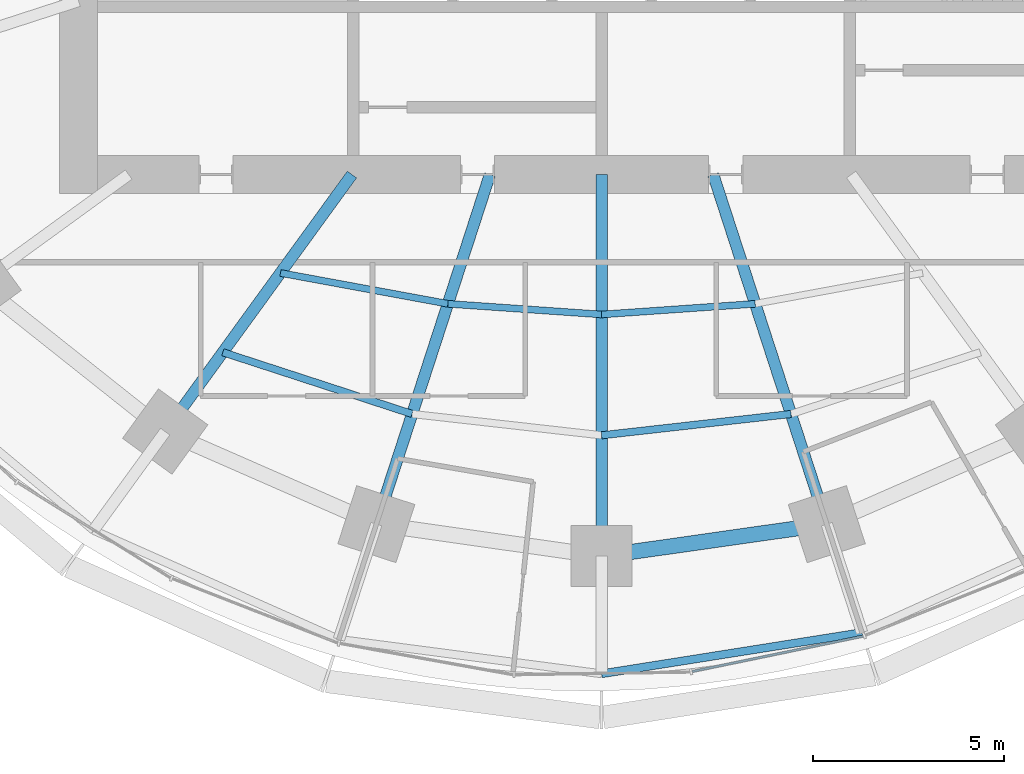
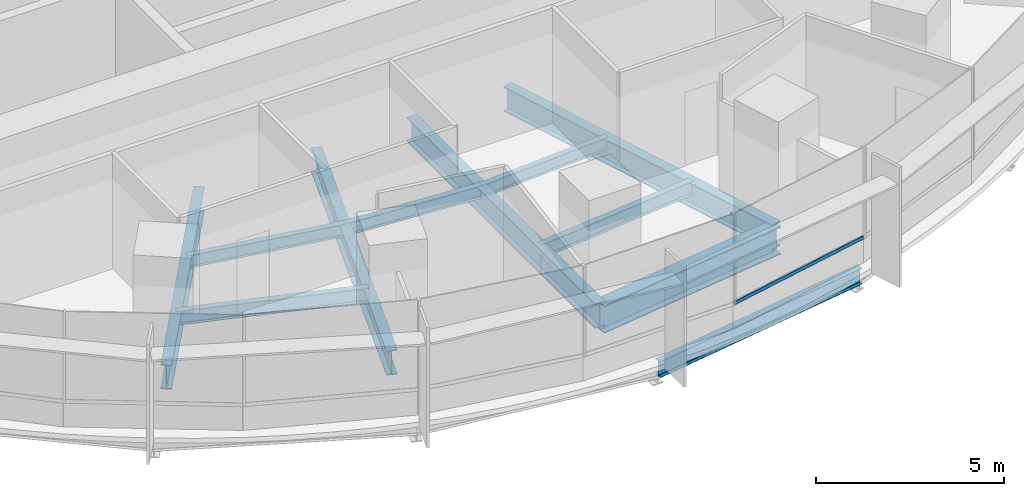
# One storey, part 3 of 14: 11 beams, 1 member, 1 element without a shape of its own.
"""IFC4 building model written with IfcOpenShell, lengths in metres."""

from ifc_helpers import new_model, si_unit, direction, frame, origin, origin_2d, place, context, subcontext, project, spatial, rectangle, i_section, extrude, material, material_profile, profile_set, type_object, element, aggregate, save


model = new_model("IFC4")

# Units and contexts
model_context = context("Model", 3, precision=1e-05, world=origin(), true_north=direction((0.0, 1.0)))
body_context = subcontext(model_context, "Body", "Model", "MODEL_VIEW")
ifc_project = project(units=[si_unit("LENGTHUNIT", "METRE"), si_unit("AREAUNIT", "SQUARE_METRE"), si_unit("VOLUMEUNIT", "CUBIC_METRE"), si_unit("PLANEANGLEUNIT", "RADIAN"), si_unit("MASSUNIT", "GRAM", prefix="KILO")], contexts=[model_context])

# Site, building, storey
site_placement = place(None, origin())
site = spatial("IfcSite", under=ifc_project, at=site_placement, CompositionType="ELEMENT")
building_placement = place(site_placement, origin())
building = spatial("IfcBuilding", under=site, at=building_placement, Name="Marramba Exchange Tower", CompositionType="ELEMENT")
storey_placement = place(building_placement, frame((0.0, 0.0, 108.0)))
storey = spatial("IfcBuildingStorey", under=building, at=storey_placement, Name="L25", CompositionType="ELEMENT", Elevation=108.0)

# Beams
ifc_material_1 = material(Name="Steel AS/NZS 3679.1 grade 300", Category="steel")
ifc_material_profile_1 = material_profile(ifc_material_1, i_section(OverallWidth=0.177978515625, OverallDepth=0.406005859375, WebThickness=0.0078125, FlangeThickness=0.0126953125, FilletRadius=0.011474609375, at=origin_2d()), Name="410UB59.7")
ifc_profile_set_1 = profile_set([ifc_material_profile_1], Name="Steel AS/NZS 3679.1 grade 300")
beam_type_1 = type_object("IfcBeamType", Name="Floor joist 410UB59.7", PredefinedType="JOIST", material=ifc_profile_set_1)
beam_1_placement = place(storey_placement, frame((-8.41162109375, -11.57763671875, -0.363037109375), z_axis=(0.983455754421, -0.181148500119, 0.0), x_axis=(0.181148500119, 0.983455754421, 0.0)))
element("IfcBeam", 1, at=beam_1_placement, inside=storey, type_object=beam_type_1, Name="Joist L25 bay 14 row 1", PredefinedType="JOIST", context=body_context, shape_type="SweptSolid", body=[
    extrude(i_section(OverallWidth=0.177978515625, OverallDepth=0.406005859375, WebThickness=0.0078125, FlangeThickness=0.0126953125, FilletRadius=0.011474609375, at=origin_2d()), origin(), (0.0, 0.0, 1.0), 4.4609375),
])
for number, where, z_axis, x_axis, name in (
    (2, (-4.0244140625, -12.3857421875, -0.363037109375), (0.99759625901, -0.069294328838, 0.0), (0.069294328838, 0.99759625901, 0.0), "Joist L25 bay 15 row 1"),
    (3, (0.0, -12.665283203125, -0.363037109375), (0.99759625901, 0.069294328838, 0.0), (-0.069294328838, 0.99759625901, 0.0), "Joist L25 bay 16 row 1"),
):
    element("IfcBeam", number, at=place(storey_placement, frame(where, z_axis=z_axis, x_axis=x_axis)), inside=storey, type_object=beam_type_1, Name=name, PredefinedType="JOIST", context=body_context, shape_type="SweptSolid", body=[
        extrude(i_section(OverallWidth=0.177978515625, OverallDepth=0.406005859375, WebThickness=0.0078125, FlangeThickness=0.0126953125, FilletRadius=0.011474609375, at=origin_2d()), origin(), (0.0, 0.0, 1.0), 4.0341796875),
    ])
ifc_material_profile_2 = material_profile(ifc_material_1, i_section(OverallWidth=0.18994140625, OverallDepth=0.4541015625, WebThickness=0.008544921875, FlangeThickness=0.0126953125, FilletRadius=0.011474609375, at=origin_2d()), Name="460UB67.1")
ifc_profile_set_2 = profile_set([ifc_material_profile_2], Name="Steel AS/NZS 3679.1 grade 300")
beam_type_2 = type_object("IfcBeamType", Name="Floor joist 460UB67.1", PredefinedType="JOIST", material=ifc_profile_set_2)
beam_2_placement = place(storey_placement, frame((-9.9208984375, -13.655029296875, -0.386962890625), z_axis=(0.950764024931, -0.309915744834, 0.0), x_axis=(0.309915744834, 0.950764024931, 0.0)))
element("IfcBeam", 4, at=beam_2_placement, inside=storey, type_object=beam_type_2, Name="Joist L25 bay 14 row 2", PredefinedType="JOIST", context=body_context, shape_type="SweptSolid", body=[
    extrude(i_section(OverallWidth=0.18994140625, OverallDepth=0.4541015625, WebThickness=0.008544921875, FlangeThickness=0.0126953125, FilletRadius=0.011474609375, at=origin_2d()), origin(), (0.0, 0.0, 1.0), 5.2158203125),
])
beam_3_placement = place(storey_placement, frame((0.0, -15.83056640625, -0.386962890625), z_axis=(0.993712018573, 0.111966174106, 0.0), x_axis=(-0.111966174106, 0.993712018573, 0.0)))
element("IfcBeam", 5, at=beam_3_placement, inside=storey, type_object=beam_type_2, Name="Joist L25 bay 16 row 2", PredefinedType="JOIST", context=body_context, shape_type="SweptSolid", body=[
    extrude(i_section(OverallWidth=0.18994140625, OverallDepth=0.4541015625, WebThickness=0.008544921875, FlangeThickness=0.0126953125, FilletRadius=0.011474609375, at=origin_2d()), origin(), (0.0, 0.0, 1.0), 4.993408203125),
])

# Curtain wall, member
ifc_material_2 = material(Name="Aluminium framing, bronze anodised", Category="aluminium")
curtain_wall_type = type_object("IfcCurtainWallType", Name="Office ribbon curtain wall", PredefinedType="USERDEFINED", material=ifc_material_2)
curtain_wall_placement = place(storey_placement, origin())
curtain_wall = element("IfcCurtainWall", 6, at=curtain_wall_placement, inside=storey, type_object=curtain_wall_type, Name="Curtain wall CW4 L25 F21-F25", ObjectType="RIBBON CURTAIN WALL", PredefinedType="USERDEFINED")
ifc_material_3 = material(Name="Aluminium transom, bronze anodised", Category="aluminium")
ifc_material_profile_3 = material_profile(ifc_material_3, rectangle(XDim=0.06005859375, YDim=0.1201171875, at=origin_2d()), Name="CW4 transom 60x120")
ifc_profile_set_3 = profile_set([ifc_material_profile_3], Name="Aluminium transom, bronze anodised")
member_type = type_object("IfcMemberType", Name="Office ribbon curtain wall transom", PredefinedType="USERDEFINED", material=ifc_profile_set_3)
member_placement = place(storey_placement, frame((2.374267578125, -22.017822265625, 0.830078125), z_axis=(0.979310422034, 0.202363774661, 0.0), x_axis=(-0.202363774661, 0.979310422034, 0.0)))
member = element("IfcMember", 7, at=member_placement, type_object=member_type, Name="CW4 sill transom", ObjectType="TRANSOM", PredefinedType="USERDEFINED", context=body_context, shape_type="SweptSolid", body=[
    extrude(rectangle(XDim=0.06005859375, YDim=0.1201171875, at=origin_2d()), origin(), (0.0, 0.0, 1.0), 4.57373046875),
])
aggregate(curtain_wall, [member])

# Beams
ifc_material_4 = material(Name="Steel AS/NZS 3679.2 grade 300", Category="steel")
ifc_material_profile_4 = material_profile(ifc_material_4, i_section(OverallWidth=0.300048828125, OverallDepth=0.800048828125, WebThickness=0.013916015625, FlangeThickness=0.031982421875, at=origin_2d()), Name="800WB192")
ifc_profile_set_4 = profile_set([ifc_material_profile_4], Name="Steel AS/NZS 3679.2 grade 300")
beam_type_3 = type_object("IfcBeamType", Name="Radial girder 800WB192", PredefinedType="BEAM", material=ifc_profile_set_4)
beam_4_placement = place(storey_placement, frame((-6.538818359375, -9.0, -0.56005859375), z_axis=(-0.587787877172, -0.809015087282, 0.0), x_axis=(0.809015087282, -0.587787877172, 0.0)))
element("IfcBeam", 8, at=beam_4_placement, inside=storey, type_object=beam_type_3, Name="Radial girder L25 TC14", PredefinedType="BEAM", context=body_context, shape_type="SweptSolid", body=[
    extrude(i_section(OverallWidth=0.300048828125, OverallDepth=0.800048828125, WebThickness=0.013916015625, FlangeThickness=0.031982421875, at=origin_2d()), origin(), (0.0, 0.0, 1.0), 8.322021484375),
])
beam_5_placement = place(storey_placement, frame((-2.92431640625, -9.0, -0.56005859375), z_axis=(-0.309022428985, -0.951054750466, 0.0), x_axis=(0.951054750466, -0.309022428985, 0.0)))
element("IfcBeam", 9, at=beam_5_placement, inside=storey, type_object=beam_type_3, Name="Radial girder L25 TC15", PredefinedType="BEAM", context=body_context, shape_type="SweptSolid", body=[
    extrude(i_section(OverallWidth=0.300048828125, OverallDepth=0.800048828125, WebThickness=0.013916015625, FlangeThickness=0.031982421875, at=origin_2d()), origin(), (0.0, 0.0, 1.0), 9.628173828125),
])
beam_6_placement = place(storey_placement, frame((0.0, -9.0, -0.56005859375), z_axis=(0.0, -1.0, 0.0), x_axis=(1.0, 0.0, 0.0)))
element("IfcBeam", 10, at=beam_6_placement, inside=storey, type_object=beam_type_3, Name="Radial girder L25 TC16", PredefinedType="BEAM", context=body_context, shape_type="SweptSolid", body=[
    extrude(i_section(OverallWidth=0.300048828125, OverallDepth=0.800048828125, WebThickness=0.013916015625, FlangeThickness=0.031982421875, at=origin_2d()), origin(), (0.0, 0.0, 1.0), 9.99609375),
])
beam_7_placement = place(storey_placement, frame((2.92431640625, -9.0, -0.56005859375), z_axis=(0.309022428985, -0.951054750466, 0.0), x_axis=(0.951054750466, 0.309022428985, 0.0)))
element("IfcBeam", 11, at=beam_7_placement, inside=storey, type_object=beam_type_3, Name="Radial girder L25 TC17", PredefinedType="BEAM", context=body_context, shape_type="SweptSolid", body=[
    extrude(i_section(OverallWidth=0.300048828125, OverallDepth=0.800048828125, WebThickness=0.013916015625, FlangeThickness=0.031982421875, at=origin_2d()), origin(), (0.0, 0.0, 1.0), 9.628173828125),
])
ifc_material_profile_5 = material_profile(ifc_material_4, i_section(OverallWidth=0.39990234375, OverallDepth=0.89990234375, WebThickness=0.01611328125, FlangeThickness=0.031982421875, at=origin_2d()), Name="900WB282")
ifc_profile_set_5 = profile_set([ifc_material_profile_5], Name="Steel AS/NZS 3679.2 grade 300")
beam_type_4 = type_object("IfcBeamType", Name="Ring beam 900WB282", PredefinedType="SPANDREL", material=ifc_profile_set_5)
beam_8_placement = place(storey_placement, frame((0.0, -18.99609375, -0.610107421875), z_axis=(0.990036163016, 0.140813337152, 0.0), x_axis=(-0.140813337152, 0.990036163016, 0.0)))
element("IfcBeam", 12, at=beam_8_placement, inside=storey, type_object=beam_type_4, Name="Ring beam L25 TC16-TC17", PredefinedType="SPANDREL", context=body_context, shape_type="SweptSolid", body=[
    extrude(i_section(OverallWidth=0.39990234375, OverallDepth=0.89990234375, WebThickness=0.01611328125, FlangeThickness=0.031982421875, at=origin_2d()), origin(), (0.0, 0.0, 1.0), 5.958984375),
])
ifc_material_profile_6 = material_profile(ifc_material_1, i_section(OverallWidth=0.208984375, OverallDepth=0.528076171875, WebThickness=0.009521484375, FlangeThickness=0.01318359375, FilletRadius=0.013916015625, at=origin_2d()), Name="530UB82.0")
ifc_profile_set_6 = profile_set([ifc_material_profile_6], Name="Steel AS/NZS 3679.1 grade 300")
beam_type_5 = type_object("IfcBeamType", Name="Slab edge beam 530UB82.0", PredefinedType="SPANDREL", material=ifc_profile_set_6)
beam_9_placement = place(storey_placement, frame((0.0, -22.076904296875, -0.424072265625), z_axis=(0.987705008555, 0.15632919137, 0.0), x_axis=(-0.15632919137, 0.987705008555, 0.0)))
element("IfcBeam", 13, at=beam_9_placement, inside=storey, type_object=beam_type_5, Name="Slab edge beam L25 TC16-TC17", PredefinedType="SPANDREL", context=body_context, shape_type="SweptSolid", body=[
    extrude(i_section(OverallWidth=0.208984375, OverallDepth=0.528076171875, WebThickness=0.009521484375, FlangeThickness=0.01318359375, FilletRadius=0.013916015625, at=origin_2d()), origin(), (0.0, 0.0, 1.0), 6.907470703125),
])

save(model, "model.ifc")
